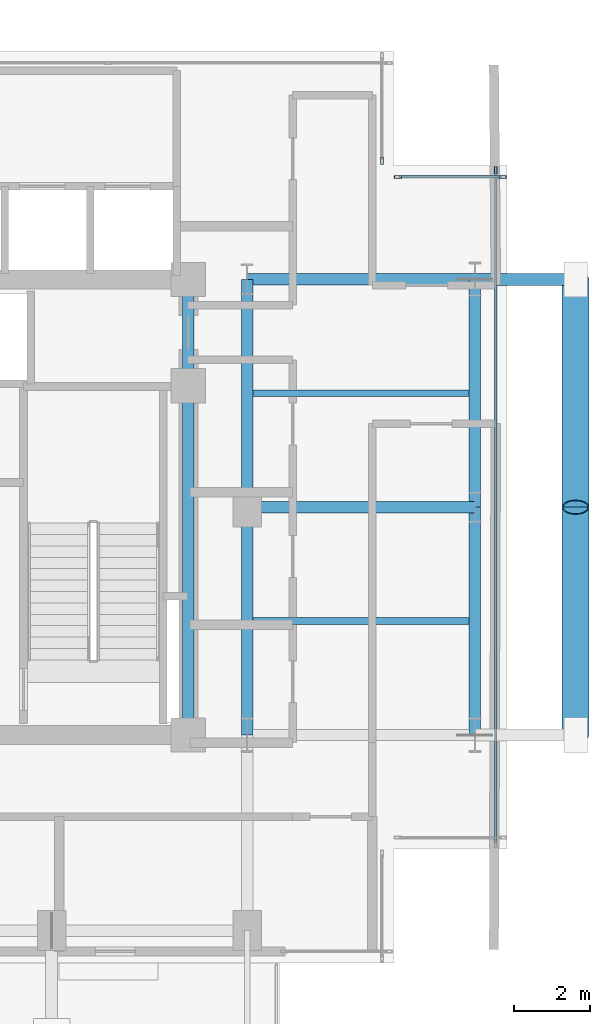
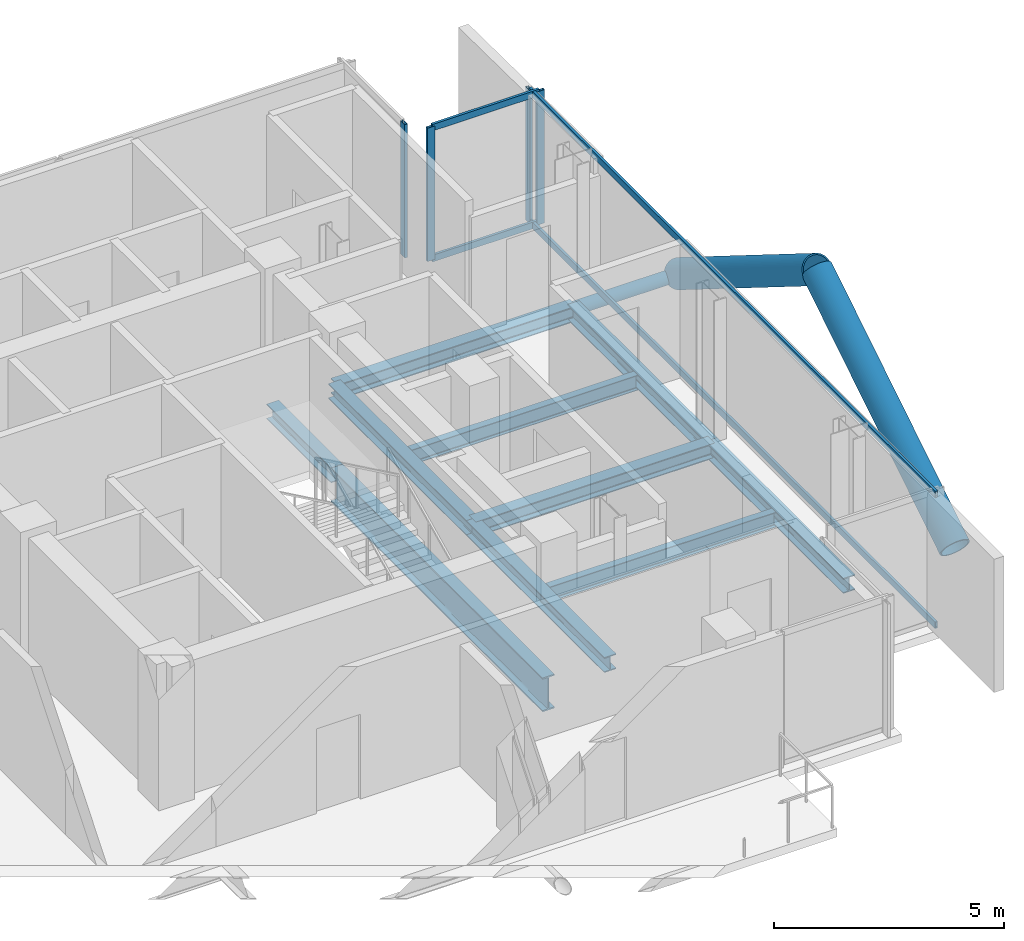
# One storey, part 12 of 26: 11 members, 10 beams, 3 elements without a shape of their own.
"""IFC4 building model written with IfcOpenShell, lengths in metres."""

from ifc_helpers import new_model, si_unit, direction, frame, origin, origin_2d, place, context, subcontext, project, spatial, hollow_rectangle, hollow_circle, i_section, extrude, material, layer, layer_set, material_profile, profile_set, type_object, element, aggregate, save


model = new_model("IFC4")

# Units and contexts
model_context = context("Model", 3, precision=1e-05, world=origin(), true_north=direction((0.0, 1.0)))
body_context = subcontext(model_context, "Body", "Model", "MODEL_VIEW")
ifc_project = project(units=[si_unit("LENGTHUNIT", "METRE"), si_unit("AREAUNIT", "SQUARE_METRE"), si_unit("VOLUMEUNIT", "CUBIC_METRE"), si_unit("PLANEANGLEUNIT", "RADIAN"), si_unit("MASSUNIT", "GRAM", prefix="KILO"), si_unit("THERMODYNAMICTEMPERATUREUNIT", "KELVIN"), si_unit("POWERUNIT", "WATT")], contexts=[model_context])

# Site, building, storey
site_placement = place(None, origin())
site = spatial("IfcSite", under=ifc_project, at=site_placement, CompositionType="ELEMENT")
building_placement = place(site_placement, origin())
building = spatial("IfcBuilding", under=site, at=building_placement, Name="Svarakhadi Broadcast Tower", CompositionType="ELEMENT")
storey_placement = place(building_placement, frame((0.0, 0.0, 180.449951171875)))
storey = spatial("IfcBuildingStorey", under=building, at=storey_placement, Name="L44", CompositionType="ELEMENT", Elevation=180.449951171875)

# Beams
ifc_material_1 = material(Name="Steel S355J2 (IS 2062 E350C)", Category="steel")
ifc_material_profile_1 = material_profile(ifc_material_1, i_section(OverallWidth=0.179931640625, OverallDepth=0.39990234375, WebThickness=0.008544921875, FlangeThickness=0.013427734375, FilletRadius=0.02099609375, at=origin_2d()), Name="NPB 400x180x66")
ifc_profile_set_1 = profile_set([ifc_material_profile_1], Name="Steel S355J2 (IS 2062 E350C)")
beam_type_1 = type_object("IfcBeamType", Name="Beam_NPB400", PredefinedType="BEAM", material=ifc_profile_set_1)
for number, where, z_axis, x_axis, name in (
    (1, (35.31005859375, 9.0, -0.409912109375), (1.0, 0.0, 0.0), (0.0, 1.0, 0.0), "L44 Secondary Composite Beam SB016"),
    (2, (35.31005859375, 15.0, -0.409912109375), (1.0, 0.0, 0.0), (0.0, 1.0, 0.0), "L44 Secondary Composite Beam SB017"),
):
    element("IfcBeam", number, at=place(storey_placement, frame(where, z_axis=z_axis, x_axis=x_axis)), inside=storey, type_object=beam_type_1, Name=name, PredefinedType="BEAM", context=body_context, shape_type="SweptSolid", body=[
        extrude(i_section(OverallWidth=0.179931640625, OverallDepth=0.39990234375, WebThickness=0.008544921875, FlangeThickness=0.013427734375, FilletRadius=0.02099609375, at=origin_2d()), origin(), (0.0, 0.0, 1.0), 5.679931640625),
    ])

# Curtain wall, member
ifc_material_2 = material(Name="Anodised Bronze Aluminium AA 6063-T6", Category="aluminium")
ifc_layer = layer(ifc_material_2, 0.18994140625)
ifc_layer_set = layer_set([ifc_layer], Name="Anodised Bronze Aluminium AA 6063-T6")
curtain_wall_type = type_object("IfcCurtainWallType", Name="CW_Sys_04", PredefinedType="NOTDEFINED", material=ifc_layer_set)
curtain_wall_1_placement = place(storey_placement, origin())
curtain_wall_1 = element("IfcCurtainWall", 3, at=curtain_wall_1_placement, inside=storey, type_object=curtain_wall_type, Name="L44 Unitised Facade Curtain Wall 11", PredefinedType="NOTDEFINED")
ifc_material_profile_2 = material_profile(ifc_material_2, hollow_rectangle(XDim=0.070068359375, YDim=0.18994140625, WallThickness=0.005615234375, at=origin_2d()), Name="ALU MULLION 190x70x6")
ifc_profile_set_2 = profile_set([ifc_material_profile_2], Name="Anodised Bronze Aluminium AA 6063-T6")
member_type_1 = type_object("IfcMemberType", Name="CW_Sys_04_Mul", PredefinedType="MULLION", material=ifc_profile_set_2)
member_1_placement = place(storey_placement, frame((38.699951171875, 21.125, 0.0), z_axis=(0.0, 0.0, 1.0), x_axis=(1.0, 0.0, 0.0)))
member_1 = element("IfcMember", 4, at=member_1_placement, type_object=member_type_1, Name="CW-04 mullion 2", PredefinedType="MULLION", context=body_context, shape_type="SweptSolid", body=[
    extrude(hollow_rectangle(XDim=0.070068359375, YDim=0.18994140625, WallThickness=0.005615234375, at=origin_2d()), origin(), (0.0, 0.0, 1.0), 3.5400390625),
])
aggregate(curtain_wall_1, [member_1])

# Curtain wall, members
curtain_wall_2_placement = place(storey_placement, origin())
curtain_wall_2 = element("IfcCurtainWall", 5, at=curtain_wall_2_placement, inside=storey, type_object=curtain_wall_type, Name="L44 Unitised Facade Curtain Wall 12", PredefinedType="NOTDEFINED")
member_2_placement = place(storey_placement, frame((39.125, 20.699951171875, 0.0), z_axis=(0.0, 0.0, 1.0), x_axis=(0.0, 1.0, 0.0)))
member_2 = element("IfcMember", 6, at=member_2_placement, type_object=member_type_1, Name="CW-04 mullion 1", PredefinedType="MULLION", context=body_context, shape_type="SweptSolid", body=[
    extrude(hollow_rectangle(XDim=0.070068359375, YDim=0.18994140625, WallThickness=0.005615234375, at=origin_2d()), origin(), (0.0, 0.0, 1.0), 3.5400390625),
])
member_3_placement = place(storey_placement, frame((41.875, 20.699951171875, 0.0), z_axis=(0.0, 0.0, 1.0), x_axis=(0.0, 1.0, 0.0)))
member_3 = element("IfcMember", 7, at=member_3_placement, type_object=member_type_1, Name="CW-04 mullion 2", PredefinedType="MULLION", context=body_context, shape_type="SweptSolid", body=[
    extrude(hollow_rectangle(XDim=0.070068359375, YDim=0.18994140625, WallThickness=0.005615234375, at=origin_2d()), origin(), (0.0, 0.0, 1.0), 3.5400390625),
])

# Curtain wall, member
curtain_wall_3_placement = place(storey_placement, origin())
curtain_wall_3 = element("IfcCurtainWall", 8, at=curtain_wall_3_placement, inside=storey, type_object=curtain_wall_type, Name="L44 Unitised Facade Curtain Wall 13", PredefinedType="NOTDEFINED")
member_4_placement = place(storey_placement, frame((41.699951171875, 20.875, 0.0), z_axis=(0.0, 0.0, 1.0), x_axis=(1.0, 0.0, 0.0)))
member_4 = element("IfcMember", 9, at=member_4_placement, type_object=member_type_1, Name="CW-04 mullion 1", PredefinedType="MULLION", context=body_context, shape_type="SweptSolid", body=[
    extrude(hollow_rectangle(XDim=0.070068359375, YDim=0.18994140625, WallThickness=0.005615234375, at=origin_2d()), origin(), (0.0, 0.0, 1.0), 3.5400390625),
])

# Member
ifc_material_profile_3 = material_profile(ifc_material_2, hollow_rectangle(XDim=0.06494140625, YDim=0.175048828125, WallThickness=0.0048828125, at=origin_2d()), Name="ALU TRANSOM 175x65x5")
ifc_profile_set_3 = profile_set([ifc_material_profile_3], Name="Anodised Bronze Aluminium AA 6063-T6")
member_type_2 = type_object("IfcMemberType", Name="CW_Sys_04_Trn", PredefinedType="USERDEFINED", material=ifc_profile_set_3)
member_5_placement = place(storey_placement, frame((39.159912109375, 20.699951171875, 0.032470703125), z_axis=(1.0, 0.0, 0.0), x_axis=(0.0, 1.0, 0.0)))
member_5 = element("IfcMember", 10, at=member_5_placement, type_object=member_type_2, Name="CW-04 transom 1.1", ObjectType="TRANSOM", PredefinedType="USERDEFINED", context=body_context, shape_type="SweptSolid", body=[
    extrude(hollow_rectangle(XDim=0.06494140625, YDim=0.175048828125, WallThickness=0.0048828125, at=origin_2d()), origin(), (0.0, 0.0, 1.0), 2.68017578125),
])

member_6_placement = place(storey_placement, frame((39.159912109375, 20.699951171875, 3.507568359375), z_axis=(1.0, 0.0, 0.0), x_axis=(0.0, 1.0, 0.0)))
member_6 = element("IfcMember", 11, at=member_6_placement, type_object=member_type_2, Name="CW-04 transom 1.2", ObjectType="TRANSOM", PredefinedType="USERDEFINED", context=body_context, shape_type="SweptSolid", body=[
    extrude(hollow_rectangle(XDim=0.06494140625, YDim=0.175048828125, WallThickness=0.0048828125, at=origin_2d()), origin(), (0.0, 0.0, 1.0), 2.68017578125),
])

aggregate(curtain_wall_2, [member_2, member_3, member_5, member_6])

member_7_placement = place(storey_placement, frame((41.699951171875, 20.840087890625, 0.032470703125), z_axis=(0.0, -1.0, 0.0), x_axis=(1.0, 0.0, 0.0)))
member_7 = element("IfcMember", 12, at=member_7_placement, type_object=member_type_2, Name="CW-04 transom 1.1", ObjectType="TRANSOM", PredefinedType="USERDEFINED", context=body_context, shape_type="SweptSolid", body=[
    extrude(hollow_rectangle(XDim=0.06494140625, YDim=0.175048828125, WallThickness=0.0048828125, at=origin_2d()), origin(), (0.0, 0.0, 1.0), 17.68017578125),
])

member_8_placement = place(storey_placement, frame((41.699951171875, 20.840087890625, 3.507568359375), z_axis=(0.0, -1.0, 0.0), x_axis=(1.0, 0.0, 0.0)))
member_8 = element("IfcMember", 13, at=member_8_placement, type_object=member_type_2, Name="CW-04 transom 1.2", ObjectType="TRANSOM", PredefinedType="USERDEFINED", context=body_context, shape_type="SweptSolid", body=[
    extrude(hollow_rectangle(XDim=0.06494140625, YDim=0.175048828125, WallThickness=0.0048828125, at=origin_2d()), origin(), (0.0, 0.0, 1.0), 17.68017578125),
])

aggregate(curtain_wall_3, [member_4, member_7, member_8])

# Members
ifc_material_3 = material(Name="Steel S460ML (IS 2062 E450BR)", Category="steel")
ifc_material_profile_4 = material_profile(ifc_material_3, hollow_circle(Radius=0.35546875, WallThickness=0.034912109375, at=origin_2d()), Name="CHS 711x35")
ifc_profile_set_4 = profile_set([ifc_material_profile_4], Name="Steel S460ML (IS 2062 E450BR)")
member_type_3 = type_object("IfcMemberType", Name="Exo_Brace_CHS711", PredefinedType="BRACE", material=ifc_profile_set_4)
for number, where, z_axis, x_axis, name in (
    (14, (43.800048828125, 6.0, -0.371826171875), (0.0, 0.847998304005, 0.529998940003), (-1.0, 0.0, 0.0), "L44 Exposed Bronze Exoskeleton Diagonal E06"),
    (15, (43.800048828125, 18.0, -0.371826171875), (0.0, -0.847998304005, 0.529998940003), (1.0, 0.0, 0.0), "L44 Exposed Bronze Exoskeleton Diagonal E07"),
):
    element("IfcMember", number, at=place(storey_placement, frame(where, z_axis=z_axis, x_axis=x_axis)), inside=storey, type_object=member_type_3, Name=name, PredefinedType="BRACE", context=body_context, shape_type="SweptSolid", body=[
        extrude(hollow_circle(Radius=0.35546875, WallThickness=0.034912109375, at=origin_2d()), origin(), (0.0, 0.0, 1.0), 7.075439453125),
    ])
ifc_material_profile_5 = material_profile(ifc_material_3, hollow_circle(Radius=0.161865234375, WallThickness=0.01611328125, at=origin_2d()), Name="CHS 323.9x16")
ifc_profile_set_5 = profile_set([ifc_material_profile_5], Name="Steel S460ML (IS 2062 E450BR)")
member_type_4 = type_object("IfcMemberType", Name="Exo_Radial_Strut_Z2", PredefinedType="STRUT", material=ifc_profile_set_5)
member_9_placement = place(storey_placement, frame((43.800048828125, 18.0, -0.371826171875), z_axis=(-1.0, 0.0, 0.0), x_axis=(0.0, -1.0, 0.0)))
element("IfcMember", 16, at=member_9_placement, inside=storey, type_object=member_type_4, Name="L44 Exoskeleton Radial Tie Strut E08", PredefinedType="STRUT", context=body_context, shape_type="SweptSolid", body=[
    extrude(hollow_circle(Radius=0.161865234375, WallThickness=0.01611328125, at=origin_2d()), origin(), (0.0, 0.0, 1.0), 2.650146484375),
])

# Beams
ifc_material_profile_6 = material_profile(ifc_material_1, i_section(OverallWidth=0.300048828125, OverallDepth=0.39990234375, WebThickness=0.013427734375, FlangeThickness=0.02392578125, FilletRadius=0.027099609375, at=origin_2d()), Name="WPB 400x300x155")
ifc_profile_set_6 = profile_set([ifc_material_profile_6], Name="Steel S355J2 (IS 2062 E350C)")
beam_type_2 = type_object("IfcBeamType", Name="Girder_WPB400", PredefinedType="USERDEFINED", material=ifc_profile_set_6)
for number, where, z_axis, x_axis, name in (
    (17, (35.14990234375, 12.0, -0.409912109375), (1.0, 0.0, 0.0), (0.0, 1.0, 0.0), "L44 Primary E-W Girder G019"),
    (18, (35.14990234375, 18.0, -0.409912109375), (1.0, 0.0, 0.0), (0.0, 1.0, 0.0), "L44 Primary E-W Girder G025"),
):
    element("IfcBeam", number, at=place(storey_placement, frame(where, z_axis=z_axis, x_axis=x_axis)), inside=storey, type_object=beam_type_2, Name=name, ObjectType="GIRDER", PredefinedType="USERDEFINED", context=body_context, shape_type="SweptSolid", body=[
        extrude(i_section(OverallWidth=0.300048828125, OverallDepth=0.39990234375, WebThickness=0.013427734375, FlangeThickness=0.02392578125, FilletRadius=0.027099609375, at=origin_2d()), origin(), (0.0, 0.0, 1.0), 6.0),
    ])
beam_1_placement = place(storey_placement, frame((33.60009765625, 15.199951171875, -0.409912109375), z_axis=(0.0, 1.0, 0.0), x_axis=(-1.0, 0.0, 0.0)))
element("IfcBeam", 19, at=beam_1_placement, inside=storey, type_object=beam_type_2, Name="L44 Primary N-S Girder G055", ObjectType="GIRDER", PredefinedType="USERDEFINED", context=body_context, shape_type="SweptSolid", body=[
    extrude(i_section(OverallWidth=0.300048828125, OverallDepth=0.39990234375, WebThickness=0.013427734375, FlangeThickness=0.02392578125, FilletRadius=0.027099609375, at=origin_2d()), origin(), (0.0, 0.0, 1.0), 2.800048828125),
])
for number, where, z_axis, x_axis, name in (
    (20, (35.14990234375, 6.0, -0.409912109375), (0.0, 1.0, 0.0), (-1.0, 0.0, 0.0), "L44 Primary N-S Girder G057"),
    (21, (35.14990234375, 12.0, -0.409912109375), (0.0, 1.0, 0.0), (-1.0, 0.0, 0.0), "L44 Primary N-S Girder G058"),
    (22, (41.14990234375, 6.0, -0.409912109375), (0.0, 1.0, 0.0), (-1.0, 0.0, 0.0), "L44 Primary N-S Girder G059"),
    (23, (41.14990234375, 12.0, -0.409912109375), (0.0, 1.0, 0.0), (-1.0, 0.0, 0.0), "L44 Primary N-S Girder G060"),
):
    element("IfcBeam", number, at=place(storey_placement, frame(where, z_axis=z_axis, x_axis=x_axis)), inside=storey, type_object=beam_type_2, Name=name, ObjectType="GIRDER", PredefinedType="USERDEFINED", context=body_context, shape_type="SweptSolid", body=[
        extrude(i_section(OverallWidth=0.300048828125, OverallDepth=0.39990234375, WebThickness=0.013427734375, FlangeThickness=0.02392578125, FilletRadius=0.027099609375, at=origin_2d()), origin(), (0.0, 0.0, 1.0), 6.0),
    ])
ifc_material_profile_7 = material_profile(ifc_material_3, i_section(OverallWidth=0.300048828125, OverallDepth=0.89990234375, WebThickness=0.0185546875, FlangeThickness=0.034912109375, FilletRadius=0.030029296875, at=origin_2d()), Name="WPB 900x300x291")
ifc_profile_set_7 = profile_set([ifc_material_profile_7], Name="Steel S460ML (IS 2062 E450BR)")
beam_type_3 = type_object("IfcBeamType", Name="Girder_WPB900", PredefinedType="USERDEFINED", material=ifc_profile_set_7)
beam_2_placement = place(storey_placement, frame((33.60009765625, 6.0, -0.659912109375), z_axis=(0.0, 1.0, 0.0), x_axis=(-1.0, 0.0, 0.0)))
element("IfcBeam", 24, at=beam_2_placement, inside=storey, type_object=beam_type_3, Name="L44 Primary N-S Girder G054", ObjectType="GIRDER", PredefinedType="USERDEFINED", context=body_context, shape_type="SweptSolid", body=[
    extrude(i_section(OverallWidth=0.300048828125, OverallDepth=0.89990234375, WebThickness=0.0185546875, FlangeThickness=0.034912109375, FilletRadius=0.030029296875, at=origin_2d()), origin(), (0.0, 0.0, 1.0), 9.199951171875),
])

save(model, "model.ifc")
